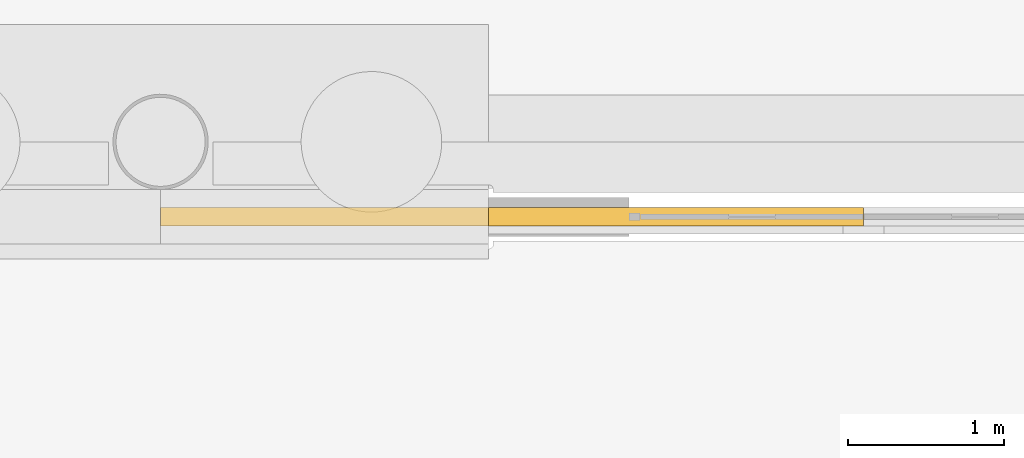
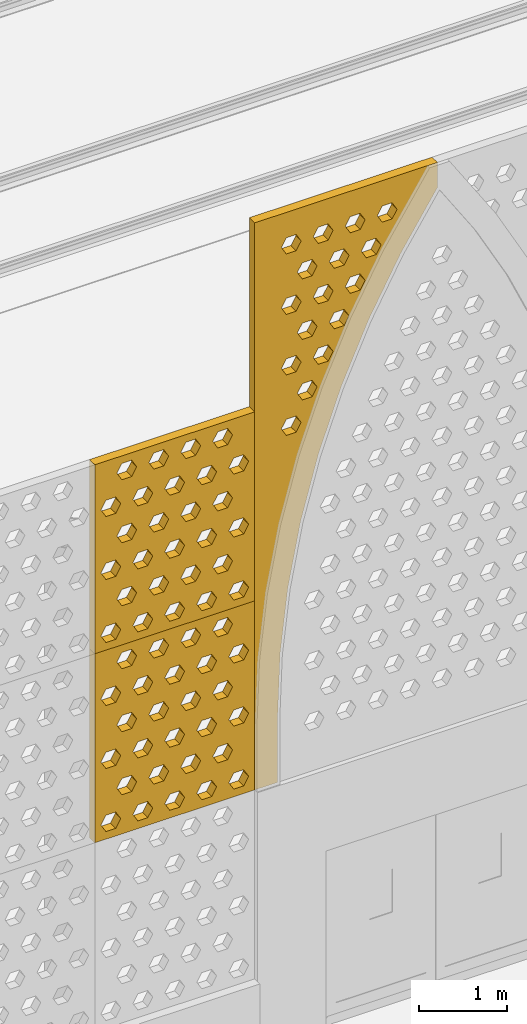
# One storey, part 194 of 250: 3 shading devices.
"""IFC4 building model written with IfcOpenShell, lengths in metres."""

import ifcopenshell
import ifcopenshell.guid

model = None  # the IFC model being written
_history = None  # IfcOwnerHistory: only IFC2X3 demands one
_inside = {}  # id of a spatial element -> (the spatial element, [elements in it])
_under = {}  # id of a project, library or spatial element -> (it, [spatial elements below it])
_declared = {}  # id of a project -> (the project, [libraries it declares])
_typed = {}  # id of a type object -> (the type object, [elements of that type])
_made_of = {}  # id of a material, layer set ... -> (it, [elements and type objects made of it])


def new_model(schema):
    """Start an empty IFC model of exactly this schema.

    Asked for "IFC4X3", IfcOpenShell would pick the latest addendum, in which some entities
    have other attributes; the version numbers below select the first issue.
    IFC2X3 requires an IfcOwnerHistory on every rooted entity: one is made here for all.
    """
    global model, _history
    if schema == "IFC4X3":
        model = ifcopenshell.file(schema_version=(4, 3, 0, 0))
    else:
        model = ifcopenshell.file(schema=schema)
    _inside.clear()
    _under.clear()
    _declared.clear()
    _typed.clear()
    _made_of.clear()
    _history = None
    if model.schema == "IFC2X3":
        org = make("IfcOrganization", Name="unknown")
        user = make(
            "IfcPersonAndOrganization",
            ThePerson=make("IfcPerson", FamilyName="unknown"),
            TheOrganization=org,
        )
        app = make(
            "IfcApplication",
            ApplicationDeveloper=org,
            Version="unknown",
            ApplicationFullName="unknown",
            ApplicationIdentifier="unknown",
        )
        _history = make(
            "IfcOwnerHistory",
            OwningUser=user,
            OwningApplication=app,
            ChangeAction="ADDED",
            CreationDate=0,
        )
    return model


def make(cls, **values):
    """One entity of the class cls with the attributes given. An attribute that is None is left unset."""
    return model.create_entity(
        cls, **{name: value for name, value in values.items() if value is not None}
    )


def rooted(cls, **values):
    """An entity with a GlobalId (a new one), such as an element, a storey or a relation."""
    return make(cls, GlobalId=ifcopenshell.guid.new(), OwnerHistory=_history, **values)


def si_unit(unit_type, name, prefix=None):
    """IfcSIUnit, for example si_unit("LENGTHUNIT", "METRE", prefix="MILLI")."""
    return make("IfcSIUnit", UnitType=unit_type, Prefix=prefix, Name=name)


def assignment(units):
    """IfcUnitAssignment: the units of a project."""
    return None if units is None else make("IfcUnitAssignment", Units=units)


def point(xyz):
    """IfcCartesianPoint."""
    return None if xyz is None else make("IfcCartesianPoint", Coordinates=xyz)


def direction(xyz):
    """IfcDirection."""
    return None if xyz is None else make("IfcDirection", DirectionRatios=xyz)


def frame(location, z_axis=None, x_axis=None):
    """IfcAxis2Placement3D, a coordinate frame: its origin and axes. An axis left out is left unset."""
    return make(
        "IfcAxis2Placement3D",
        Location=point(location),
        Axis=direction(z_axis),
        RefDirection=direction(x_axis),
    )


def origin():
    """The frame at (0, 0, 0) with its axes left unset."""
    return frame((0.0, 0.0, 0.0))


def place(relative_to, where):
    """IfcLocalPlacement: puts the frame where relative to a parent placement (None: the world)."""
    return make(
        "IfcLocalPlacement", PlacementRelTo=relative_to, RelativePlacement=where
    )


def context(
    kind, dimensions, precision=None, world=None, true_north=None, identifier=None
):
    """IfcGeometricRepresentationContext, for example the 3D "Model" context."""
    return make(
        "IfcGeometricRepresentationContext",
        ContextIdentifier=identifier,
        ContextType=kind,
        CoordinateSpaceDimension=dimensions,
        Precision=precision,
        WorldCoordinateSystem=world,
        TrueNorth=true_north,
    )


def subcontext(parent, identifier, kind, view, scale=None):
    """IfcGeometricRepresentationSubContext, for example "Body" below "Model"."""
    return make(
        "IfcGeometricRepresentationSubContext",
        ContextIdentifier=identifier,
        ContextType=kind,
        ParentContext=parent,
        TargetScale=scale,
        TargetView=view,
    )


def project(units=None, contexts=None):
    """IfcProject with its units and contexts."""
    return rooted(
        "IfcProject",
        Name="project",
        RepresentationContexts=contexts,
        UnitsInContext=assignment(units),
    )


def spatial(cls, under=None, at=None, **own):
    """A site, building, storey or space (cls), placed at a placement, below another one or the project."""
    s = rooted(cls, ObjectPlacement=at, **own)
    if under is not None:
        _under.setdefault(under.id(), (under, []))[1].append(s)
    return s


def polyline(points):
    """IfcPolyline through the points."""
    return make("IfcPolyline", Points=[point(p) for p in points])


def outline(outer, holes=None, kind="AREA"):
    """IfcArbitraryClosedProfileDef: a profile drawn as a closed curve; with holes, ...WithVoids."""
    if holes is None:
        return make("IfcArbitraryClosedProfileDef", ProfileType=kind, OuterCurve=outer)
    return make(
        "IfcArbitraryProfileDefWithVoids",
        ProfileType=kind,
        OuterCurve=outer,
        InnerCurves=holes,
    )


def extrude(swept, where, along, depth):
    """IfcExtrudedAreaSolid: the profile swept, set in the frame where, extruded along a direction by depth."""
    return make(
        "IfcExtrudedAreaSolid",
        SweptArea=swept,
        Position=where,
        ExtrudedDirection=direction(along),
        Depth=depth,
    )


def shape(context_of_items, identifier, shape_type, items):
    """IfcShapeRepresentation: the items that make up one representation, for example the "Body"."""
    return make(
        "IfcShapeRepresentation",
        ContextOfItems=context_of_items,
        RepresentationIdentifier=identifier,
        RepresentationType=shape_type,
        Items=items,
    )


def material(Name=None, Category=None):
    """IfcMaterial."""
    return make("IfcMaterial", Name=Name, Category=Category)


def layer(
    of_material, thickness, ventilated=None, Name=None, Category=None, Priority=None
):
    """IfcMaterialLayer: one layer of a wall or slab, of a material (None: an air gap)."""
    return make(
        "IfcMaterialLayer",
        Material=of_material,
        LayerThickness=thickness,
        IsVentilated=ventilated,
        Name=Name,
        Category=Category,
        Priority=Priority,
    )


def layer_set(layers, Name=None):
    """IfcMaterialLayerSet."""
    return make("IfcMaterialLayerSet", MaterialLayers=layers, LayerSetName=Name)


def made_of(thing, what):
    """Note that an element or type object is made of a material, layer set ...; save() writes the relation."""
    if what is not None:
        _made_of.setdefault(what.id(), (what, []))[1].append(thing)
    return thing


def type_object(cls, material=None, **own):
    """A type object (cls), such as IfcWallType, which elements share."""
    return made_of(rooted(cls, **own), material)


def element(
    cls,
    number,
    at=None,
    inside=None,
    cuts=None,
    type_object=None,
    material=None,
    context=None,
    identifier="Body",
    shape_type=None,
    held_by="IfcProductDefinitionShape",
    body=None,
    shapes=None,
    **own,
):
    """One element of the class cls, such as IfcWall. Its Tag is "e" and its number.

    at: its placement. inside: the storey or other place that contains it. cuts: it is an
    opening in that element (IfcRelVoidsElement). A single representation is given by context,
    identifier, shape_type and body (its items); several are given by shapes. held_by: the class
    of the entity that holds the representations. save() writes the other relations.
    """
    e = rooted(cls, Tag="e%d" % number, ObjectPlacement=at, **own)
    if body is not None:
        shapes = [shape(context, identifier, shape_type, body)]
    if shapes is not None:
        e.Representation = make(held_by, Representations=shapes)
    if inside is not None:
        _inside.setdefault(inside.id(), (inside, []))[1].append(e)
    if cuts is not None:
        rooted(
            "IfcRelVoidsElement", RelatingBuildingElement=cuts, RelatedOpeningElement=e
        )
    if type_object is not None:
        _typed.setdefault(type_object.id(), (type_object, []))[1].append(e)
    return made_of(e, material)


def aggregate(whole, parts):
    """IfcRelAggregates: a whole, such as a stair, and the parts it consists of."""
    return rooted("IfcRelAggregates", RelatingObject=whole, RelatedObjects=parts)


def save(model, path):
    """Write the relations noted so far, then the file.

    IfcRelAggregates (storeys below a building ...), IfcRelContainedInSpatialStructure (elements
    in a storey), IfcRelDefinesByType, IfcRelAssociatesMaterial and IfcRelDeclares: one each for
    every whole, place, type object, material and project.
    """
    for whole, parts in _under.values():
        aggregate(whole, parts)
    for where, things in _inside.values():
        rooted(
            "IfcRelContainedInSpatialStructure",
            RelatedElements=things,
            RelatingStructure=where,
        )
    for kind, things in _typed.values():
        rooted("IfcRelDefinesByType", RelatedObjects=things, RelatingType=kind)
    for what, things in _made_of.values():
        rooted("IfcRelAssociatesMaterial", RelatedObjects=things, RelatingMaterial=what)
    for by, libraries in _declared.values():
        rooted("IfcRelDeclares", RelatingContext=by, RelatedDefinitions=libraries)
    model.write(path)


model = new_model("IFC4")

# Units and contexts
model_context = context("Model", 3, precision=1e-05, world=origin(), true_north=direction((0.0, 1.0)))
body_context = subcontext(model_context, "Body", "Model", "MODEL_VIEW")
ifc_project = project(units=[si_unit("LENGTHUNIT", "METRE"), si_unit("AREAUNIT", "SQUARE_METRE"), si_unit("VOLUMEUNIT", "CUBIC_METRE"), si_unit("PLANEANGLEUNIT", "RADIAN"), si_unit("MASSUNIT", "GRAM", prefix="KILO")], contexts=[model_context])

# Site, building, storey
site_placement = place(None, origin())
site = spatial("IfcSite", under=ifc_project, at=site_placement, CompositionType="ELEMENT")
building_placement = place(site_placement, origin())
building = spatial("IfcBuilding", under=site, at=building_placement, Name="Baradari Gate Terminus", CompositionType="ELEMENT")
storey_placement = place(building_placement, origin())
storey = spatial("IfcBuildingStorey", under=building, at=storey_placement, Name="L00", CompositionType="ELEMENT", Elevation=0.0)

# Shading devices
ifc_material = material(Name="Concrete C50/60 precast", Category="concrete")
ifc_layer = layer(ifc_material, 0.1201171875)
ifc_layer_set = layer_set([ifc_layer], Name="Concrete C50/60 precast")
shading_device_type = type_object("IfcShadingDeviceType", Name="Jali screen panel JS-2 120", PredefinedType="SHUTTER", material=ifc_layer_set)
shading_device_1_placement = place(storey_placement, frame((180.0, 35.52001953125, 3.52490234375), z_axis=(0.0, 0.0, 1.0), x_axis=(1.0, 0.0, 0.0)))
element("IfcShadingDevice", 1, at=shading_device_1_placement, inside=storey, type_object=shading_device_type, Name="Jali screen panel JS-2 SC03a row 2 panel 1", PredefinedType="SHUTTER", context=body_context, shape_type="SweptSolid", body=[
    extrude(outline(polyline([(0.0, 0.0), (2.10009765625, 0.0), (2.10009765625, 2.625), (0.0, 2.625), (0.0, 0.0)]), holes=[polyline([(0.340087890625, 0.21875), (0.27490234375, 0.106201171875), (0.14501953125, 0.106201171875), (0.080078125, 0.21875), (0.14501953125, 0.33154296875), (0.27490234375, 0.33154296875), (0.340087890625, 0.21875)]), polyline([(0.760009765625, 0.21875), (0.695068359375, 0.106201171875), (0.56494140625, 0.106201171875), (0.5, 0.21875), (0.56494140625, 0.33154296875), (0.695068359375, 0.33154296875), (0.760009765625, 0.21875)]), polyline([(1.179931640625, 0.21875), (1.114990234375, 0.106201171875), (0.985107421875, 0.106201171875), (0.919921875, 0.21875), (0.985107421875, 0.33154296875), (1.114990234375, 0.33154296875), (1.179931640625, 0.21875)]), polyline([(1.60009765625, 0.21875), (1.534912109375, 0.106201171875), (1.405029296875, 0.106201171875), (1.340087890625, 0.21875), (1.405029296875, 0.33154296875), (1.534912109375, 0.33154296875), (1.60009765625, 0.21875)]), polyline([(2.02001953125, 0.21875), (1.955078125, 0.106201171875), (1.824951171875, 0.106201171875), (1.760009765625, 0.21875), (1.824951171875, 0.33154296875), (1.955078125, 0.33154296875), (2.02001953125, 0.21875)]), polyline([(0.550048828125, 0.65625), (0.485107421875, 0.543701171875), (0.35498046875, 0.543701171875), (0.2900390625, 0.65625), (0.35498046875, 0.76904296875), (0.485107421875, 0.76904296875), (0.550048828125, 0.65625)]), polyline([(0.969970703125, 0.65625), (0.905029296875, 0.543701171875), (0.77490234375, 0.543701171875), (0.7099609375, 0.65625), (0.77490234375, 0.76904296875), (0.905029296875, 0.76904296875), (0.969970703125, 0.65625)]), polyline([(1.389892578125, 0.65625), (1.324951171875, 0.543701171875), (1.195068359375, 0.543701171875), (1.1298828125, 0.65625), (1.195068359375, 0.76904296875), (1.324951171875, 0.76904296875), (1.389892578125, 0.65625)]), polyline([(1.81005859375, 0.65625), (1.7451171875, 0.543701171875), (1.614990234375, 0.543701171875), (1.550048828125, 0.65625), (1.614990234375, 0.76904296875), (1.7451171875, 0.76904296875), (1.81005859375, 0.65625)]), polyline([(0.340087890625, 1.09375), (0.27490234375, 0.981201171875), (0.14501953125, 0.981201171875), (0.080078125, 1.09375), (0.14501953125, 1.20654296875), (0.27490234375, 1.20654296875), (0.340087890625, 1.09375)]), polyline([(0.760009765625, 1.09375), (0.695068359375, 0.981201171875), (0.56494140625, 0.981201171875), (0.5, 1.09375), (0.56494140625, 1.20654296875), (0.695068359375, 1.20654296875), (0.760009765625, 1.09375)]), polyline([(1.179931640625, 1.09375), (1.114990234375, 0.981201171875), (0.985107421875, 0.981201171875), (0.919921875, 1.09375), (0.985107421875, 1.20654296875), (1.114990234375, 1.20654296875), (1.179931640625, 1.09375)]), polyline([(1.60009765625, 1.09375), (1.534912109375, 0.981201171875), (1.405029296875, 0.981201171875), (1.340087890625, 1.09375), (1.405029296875, 1.20654296875), (1.534912109375, 1.20654296875), (1.60009765625, 1.09375)]), polyline([(2.02001953125, 1.09375), (1.955078125, 0.981201171875), (1.824951171875, 0.981201171875), (1.760009765625, 1.09375), (1.824951171875, 1.20654296875), (1.955078125, 1.20654296875), (2.02001953125, 1.09375)]), polyline([(0.550048828125, 1.53125), (0.485107421875, 1.418701171875), (0.35498046875, 1.418701171875), (0.2900390625, 1.53125), (0.35498046875, 1.64404296875), (0.485107421875, 1.64404296875), (0.550048828125, 1.53125)]), polyline([(0.969970703125, 1.53125), (0.905029296875, 1.418701171875), (0.77490234375, 1.418701171875), (0.7099609375, 1.53125), (0.77490234375, 1.64404296875), (0.905029296875, 1.64404296875), (0.969970703125, 1.53125)]), polyline([(1.389892578125, 1.53125), (1.324951171875, 1.418701171875), (1.195068359375, 1.418701171875), (1.1298828125, 1.53125), (1.195068359375, 1.64404296875), (1.324951171875, 1.64404296875), (1.389892578125, 1.53125)]), polyline([(1.81005859375, 1.53125), (1.7451171875, 1.418701171875), (1.614990234375, 1.418701171875), (1.550048828125, 1.53125), (1.614990234375, 1.64404296875), (1.7451171875, 1.64404296875), (1.81005859375, 1.53125)]), polyline([(0.340087890625, 1.96875), (0.27490234375, 1.856201171875), (0.14501953125, 1.856201171875), (0.080078125, 1.96875), (0.14501953125, 2.08154296875), (0.27490234375, 2.08154296875), (0.340087890625, 1.96875)]), polyline([(0.760009765625, 1.96875), (0.695068359375, 1.856201171875), (0.56494140625, 1.856201171875), (0.5, 1.96875), (0.56494140625, 2.08154296875), (0.695068359375, 2.08154296875), (0.760009765625, 1.96875)]), polyline([(1.179931640625, 1.96875), (1.114990234375, 1.856201171875), (0.985107421875, 1.856201171875), (0.919921875, 1.96875), (0.985107421875, 2.08154296875), (1.114990234375, 2.08154296875), (1.179931640625, 1.96875)]), polyline([(1.60009765625, 1.96875), (1.534912109375, 1.856201171875), (1.405029296875, 1.856201171875), (1.340087890625, 1.96875), (1.405029296875, 2.08154296875), (1.534912109375, 2.08154296875), (1.60009765625, 1.96875)]), polyline([(2.02001953125, 1.96875), (1.955078125, 1.856201171875), (1.824951171875, 1.856201171875), (1.760009765625, 1.96875), (1.824951171875, 2.08154296875), (1.955078125, 2.08154296875), (2.02001953125, 1.96875)]), polyline([(0.550048828125, 2.40625), (0.485107421875, 2.293701171875), (0.35498046875, 2.293701171875), (0.2900390625, 2.40625), (0.35498046875, 2.51904296875), (0.485107421875, 2.51904296875), (0.550048828125, 2.40625)]), polyline([(0.969970703125, 2.40625), (0.905029296875, 2.293701171875), (0.77490234375, 2.293701171875), (0.7099609375, 2.40625), (0.77490234375, 2.51904296875), (0.905029296875, 2.51904296875), (0.969970703125, 2.40625)]), polyline([(1.389892578125, 2.40625), (1.324951171875, 2.293701171875), (1.195068359375, 2.293701171875), (1.1298828125, 2.40625), (1.195068359375, 2.51904296875), (1.324951171875, 2.51904296875), (1.389892578125, 2.40625)]), polyline([(1.81005859375, 2.40625), (1.7451171875, 2.293701171875), (1.614990234375, 2.293701171875), (1.550048828125, 2.40625), (1.614990234375, 2.51904296875), (1.7451171875, 2.51904296875), (1.81005859375, 2.40625)])]), frame((0.0, 0.06005859375, 0.0), z_axis=(0.0, -1.0, 0.0), x_axis=(1.0, 0.0, 0.0)), (0.0, 0.0, 1.0), 0.1201171875),
])
shading_device_2_placement = place(storey_placement, frame((180.0, 35.52001953125, 6.14990234375), z_axis=(0.0, 0.0, 1.0), x_axis=(1.0, 0.0, 0.0)))
element("IfcShadingDevice", 2, at=shading_device_2_placement, inside=storey, type_object=shading_device_type, Name="Jali screen panel JS-2 SC03a row 3 panel 1", PredefinedType="SHUTTER", context=body_context, shape_type="SweptSolid", body=[
    extrude(outline(polyline([(0.0, 0.0), (2.10009765625, 0.0), (2.10009765625, 2.625), (0.0, 2.625), (0.0, 0.0)]), holes=[polyline([(0.340087890625, 0.21875), (0.27490234375, 0.106201171875), (0.14501953125, 0.106201171875), (0.080078125, 0.21875), (0.14501953125, 0.33154296875), (0.27490234375, 0.33154296875), (0.340087890625, 0.21875)]), polyline([(0.760009765625, 0.21875), (0.695068359375, 0.106201171875), (0.56494140625, 0.106201171875), (0.5, 0.21875), (0.56494140625, 0.33154296875), (0.695068359375, 0.33154296875), (0.760009765625, 0.21875)]), polyline([(1.179931640625, 0.21875), (1.114990234375, 0.106201171875), (0.985107421875, 0.106201171875), (0.919921875, 0.21875), (0.985107421875, 0.33154296875), (1.114990234375, 0.33154296875), (1.179931640625, 0.21875)]), polyline([(1.60009765625, 0.21875), (1.534912109375, 0.106201171875), (1.405029296875, 0.106201171875), (1.340087890625, 0.21875), (1.405029296875, 0.33154296875), (1.534912109375, 0.33154296875), (1.60009765625, 0.21875)]), polyline([(2.02001953125, 0.21875), (1.955078125, 0.106201171875), (1.824951171875, 0.106201171875), (1.760009765625, 0.21875), (1.824951171875, 0.33154296875), (1.955078125, 0.33154296875), (2.02001953125, 0.21875)]), polyline([(0.550048828125, 0.65625), (0.485107421875, 0.543701171875), (0.35498046875, 0.543701171875), (0.2900390625, 0.65625), (0.35498046875, 0.76904296875), (0.485107421875, 0.76904296875), (0.550048828125, 0.65625)]), polyline([(0.969970703125, 0.65625), (0.905029296875, 0.543701171875), (0.77490234375, 0.543701171875), (0.7099609375, 0.65625), (0.77490234375, 0.76904296875), (0.905029296875, 0.76904296875), (0.969970703125, 0.65625)]), polyline([(1.389892578125, 0.65625), (1.324951171875, 0.543701171875), (1.195068359375, 0.543701171875), (1.1298828125, 0.65625), (1.195068359375, 0.76904296875), (1.324951171875, 0.76904296875), (1.389892578125, 0.65625)]), polyline([(1.81005859375, 0.65625), (1.7451171875, 0.543701171875), (1.614990234375, 0.543701171875), (1.550048828125, 0.65625), (1.614990234375, 0.76904296875), (1.7451171875, 0.76904296875), (1.81005859375, 0.65625)]), polyline([(0.340087890625, 1.09375), (0.27490234375, 0.981201171875), (0.14501953125, 0.981201171875), (0.080078125, 1.09375), (0.14501953125, 1.20654296875), (0.27490234375, 1.20654296875), (0.340087890625, 1.09375)]), polyline([(0.760009765625, 1.09375), (0.695068359375, 0.981201171875), (0.56494140625, 0.981201171875), (0.5, 1.09375), (0.56494140625, 1.20654296875), (0.695068359375, 1.20654296875), (0.760009765625, 1.09375)]), polyline([(1.179931640625, 1.09375), (1.114990234375, 0.981201171875), (0.985107421875, 0.981201171875), (0.919921875, 1.09375), (0.985107421875, 1.20654296875), (1.114990234375, 1.20654296875), (1.179931640625, 1.09375)]), polyline([(1.60009765625, 1.09375), (1.534912109375, 0.981201171875), (1.405029296875, 0.981201171875), (1.340087890625, 1.09375), (1.405029296875, 1.20654296875), (1.534912109375, 1.20654296875), (1.60009765625, 1.09375)]), polyline([(2.02001953125, 1.09375), (1.955078125, 0.981201171875), (1.824951171875, 0.981201171875), (1.760009765625, 1.09375), (1.824951171875, 1.20654296875), (1.955078125, 1.20654296875), (2.02001953125, 1.09375)]), polyline([(0.550048828125, 1.53125), (0.485107421875, 1.418701171875), (0.35498046875, 1.418701171875), (0.2900390625, 1.53125), (0.35498046875, 1.64404296875), (0.485107421875, 1.64404296875), (0.550048828125, 1.53125)]), polyline([(0.969970703125, 1.53125), (0.905029296875, 1.418701171875), (0.77490234375, 1.418701171875), (0.7099609375, 1.53125), (0.77490234375, 1.64404296875), (0.905029296875, 1.64404296875), (0.969970703125, 1.53125)]), polyline([(1.389892578125, 1.53125), (1.324951171875, 1.418701171875), (1.195068359375, 1.418701171875), (1.1298828125, 1.53125), (1.195068359375, 1.64404296875), (1.324951171875, 1.64404296875), (1.389892578125, 1.53125)]), polyline([(1.81005859375, 1.53125), (1.7451171875, 1.418701171875), (1.614990234375, 1.418701171875), (1.550048828125, 1.53125), (1.614990234375, 1.64404296875), (1.7451171875, 1.64404296875), (1.81005859375, 1.53125)]), polyline([(0.340087890625, 1.96875), (0.27490234375, 1.856201171875), (0.14501953125, 1.856201171875), (0.080078125, 1.96875), (0.14501953125, 2.08154296875), (0.27490234375, 2.08154296875), (0.340087890625, 1.96875)]), polyline([(0.760009765625, 1.96875), (0.695068359375, 1.856201171875), (0.56494140625, 1.856201171875), (0.5, 1.96875), (0.56494140625, 2.08154296875), (0.695068359375, 2.08154296875), (0.760009765625, 1.96875)]), polyline([(1.179931640625, 1.96875), (1.114990234375, 1.856201171875), (0.985107421875, 1.856201171875), (0.919921875, 1.96875), (0.985107421875, 2.08154296875), (1.114990234375, 2.08154296875), (1.179931640625, 1.96875)]), polyline([(1.60009765625, 1.96875), (1.534912109375, 1.856201171875), (1.405029296875, 1.856201171875), (1.340087890625, 1.96875), (1.405029296875, 2.08154296875), (1.534912109375, 2.08154296875), (1.60009765625, 1.96875)]), polyline([(2.02001953125, 1.96875), (1.955078125, 1.856201171875), (1.824951171875, 1.856201171875), (1.760009765625, 1.96875), (1.824951171875, 2.08154296875), (1.955078125, 2.08154296875), (2.02001953125, 1.96875)]), polyline([(0.550048828125, 2.40625), (0.485107421875, 2.293701171875), (0.35498046875, 2.293701171875), (0.2900390625, 2.40625), (0.35498046875, 2.51904296875), (0.485107421875, 2.51904296875), (0.550048828125, 2.40625)]), polyline([(0.969970703125, 2.40625), (0.905029296875, 2.293701171875), (0.77490234375, 2.293701171875), (0.7099609375, 2.40625), (0.77490234375, 2.51904296875), (0.905029296875, 2.51904296875), (0.969970703125, 2.40625)]), polyline([(1.389892578125, 2.40625), (1.324951171875, 2.293701171875), (1.195068359375, 2.293701171875), (1.1298828125, 2.40625), (1.195068359375, 2.51904296875), (1.324951171875, 2.51904296875), (1.389892578125, 2.40625)]), polyline([(1.81005859375, 2.40625), (1.7451171875, 2.293701171875), (1.614990234375, 2.293701171875), (1.550048828125, 2.40625), (1.614990234375, 2.51904296875), (1.7451171875, 2.51904296875), (1.81005859375, 2.40625)])]), frame((0.0, 0.06005859375, 0.0), z_axis=(0.0, -1.0, 0.0), x_axis=(1.0, 0.0, 0.0)), (0.0, 0.0, 1.0), 0.1201171875),
])
shading_device_3_placement = place(storey_placement, frame((182.10009765625, 35.52001953125, 3.52490234375), z_axis=(0.0, 0.0, 1.0), x_axis=(1.0, 0.0, 0.0)))
element("IfcShadingDevice", 3, at=shading_device_3_placement, inside=storey, type_object=shading_device_type, Name="Jali screen panel JS-2 SC03b arch L1", PredefinedType="SHUTTER", context=body_context, shape_type="SweptSolid", body=[
    extrude(outline(polyline([(0.0, 0.0), (0.300048828125, 0.0), (0.300048828125, 0.900146484375), (0.333740234375, 1.78173828125), (0.435302734375, 2.658203125), (0.603515625, 3.5244140625), (0.837646484375, 4.375), (1.13623046875, 5.205322265625), (1.49755859375, 6.01025390625), (1.919677734375, 6.784912109375), (2.39990234375, 7.525146484375), (2.39990234375, 7.875), (0.0, 7.875), (0.0, 0.0)]), holes=[polyline([(0.610107421875, 4.89013671875), (0.544921875, 4.777587890625), (0.4150390625, 4.777587890625), (0.35009765625, 4.89013671875), (0.4150390625, 5.002685546875), (0.544921875, 5.002685546875), (0.610107421875, 4.89013671875)]), polyline([(0.820068359375, 5.31005859375), (0.7548828125, 5.197509765625), (0.625, 5.197509765625), (0.56005859375, 5.31005859375), (0.625, 5.422607421875), (0.7548828125, 5.422607421875), (0.820068359375, 5.31005859375)]), polyline([(0.610107421875, 5.72998046875), (0.544921875, 5.617431640625), (0.4150390625, 5.617431640625), (0.35009765625, 5.72998046875), (0.4150390625, 5.8427734375), (0.544921875, 5.8427734375), (0.610107421875, 5.72998046875)]), polyline([(1.030029296875, 5.72998046875), (0.965087890625, 5.617431640625), (0.8349609375, 5.617431640625), (0.77001953125, 5.72998046875), (0.8349609375, 5.8427734375), (0.965087890625, 5.8427734375), (1.030029296875, 5.72998046875)]), polyline([(0.820068359375, 6.150146484375), (0.7548828125, 6.03759765625), (0.625, 6.03759765625), (0.56005859375, 6.150146484375), (0.625, 6.2626953125), (0.7548828125, 6.2626953125), (0.820068359375, 6.150146484375)]), polyline([(1.239990234375, 6.150146484375), (1.175048828125, 6.03759765625), (1.044921875, 6.03759765625), (0.97998046875, 6.150146484375), (1.044921875, 6.2626953125), (1.175048828125, 6.2626953125), (1.239990234375, 6.150146484375)]), polyline([(0.610107421875, 6.570068359375), (0.544921875, 6.45751953125), (0.4150390625, 6.45751953125), (0.35009765625, 6.570068359375), (0.4150390625, 6.6826171875), (0.544921875, 6.6826171875), (0.610107421875, 6.570068359375)]), polyline([(1.030029296875, 6.570068359375), (0.965087890625, 6.45751953125), (0.8349609375, 6.45751953125), (0.77001953125, 6.570068359375), (0.8349609375, 6.6826171875), (0.965087890625, 6.6826171875), (1.030029296875, 6.570068359375)]), polyline([(1.449951171875, 6.570068359375), (1.385009765625, 6.45751953125), (1.2548828125, 6.45751953125), (1.18994140625, 6.570068359375), (1.2548828125, 6.6826171875), (1.385009765625, 6.6826171875), (1.449951171875, 6.570068359375)]), polyline([(0.820068359375, 6.989990234375), (0.7548828125, 6.87744140625), (0.625, 6.87744140625), (0.56005859375, 6.989990234375), (0.625, 7.102783203125), (0.7548828125, 7.102783203125), (0.820068359375, 6.989990234375)]), polyline([(1.239990234375, 6.989990234375), (1.175048828125, 6.87744140625), (1.044921875, 6.87744140625), (0.97998046875, 6.989990234375), (1.044921875, 7.102783203125), (1.175048828125, 7.102783203125), (1.239990234375, 6.989990234375)]), polyline([(1.659912109375, 6.989990234375), (1.594970703125, 6.87744140625), (1.465087890625, 6.87744140625), (1.39990234375, 6.989990234375), (1.465087890625, 7.102783203125), (1.594970703125, 7.102783203125), (1.659912109375, 6.989990234375)]), polyline([(0.610107421875, 7.41015625), (0.544921875, 7.297607421875), (0.4150390625, 7.297607421875), (0.35009765625, 7.41015625), (0.4150390625, 7.522705078125), (0.544921875, 7.522705078125), (0.610107421875, 7.41015625)]), polyline([(1.030029296875, 7.41015625), (0.965087890625, 7.297607421875), (0.8349609375, 7.297607421875), (0.77001953125, 7.41015625), (0.8349609375, 7.522705078125), (0.965087890625, 7.522705078125), (1.030029296875, 7.41015625)]), polyline([(1.449951171875, 7.41015625), (1.385009765625, 7.297607421875), (1.2548828125, 7.297607421875), (1.18994140625, 7.41015625), (1.2548828125, 7.522705078125), (1.385009765625, 7.522705078125), (1.449951171875, 7.41015625)]), polyline([(1.8701171875, 7.41015625), (1.804931640625, 7.297607421875), (1.675048828125, 7.297607421875), (1.610107421875, 7.41015625), (1.675048828125, 7.522705078125), (1.804931640625, 7.522705078125), (1.8701171875, 7.41015625)])]), frame((0.0, 0.06005859375, 0.0), z_axis=(0.0, -1.0, 0.0), x_axis=(1.0, 0.0, 0.0)), (0.0, 0.0, 1.0), 0.1201171875),
])

save(model, "model.ifc")
